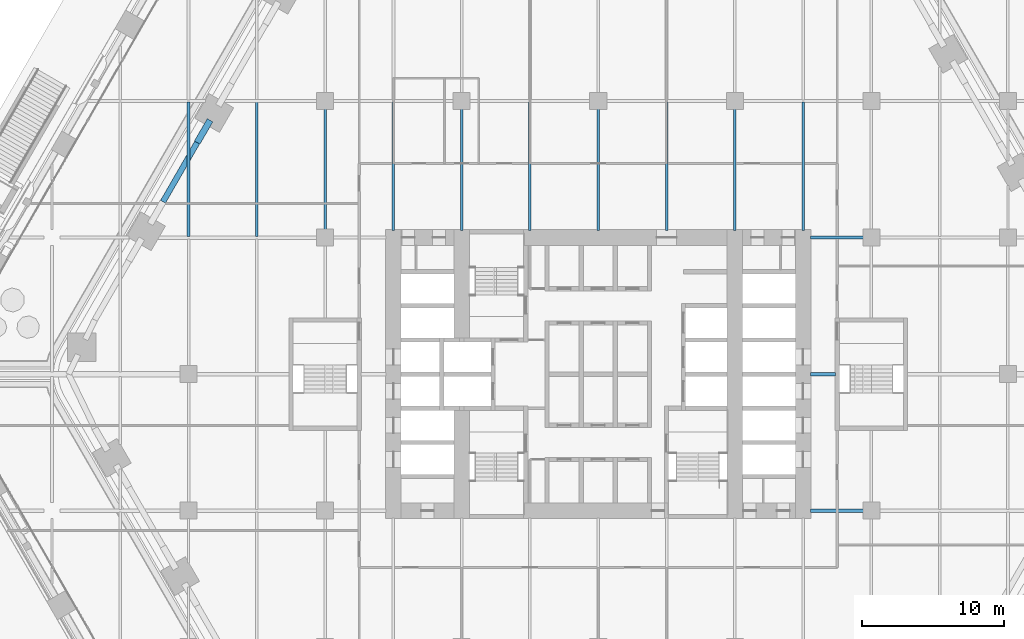
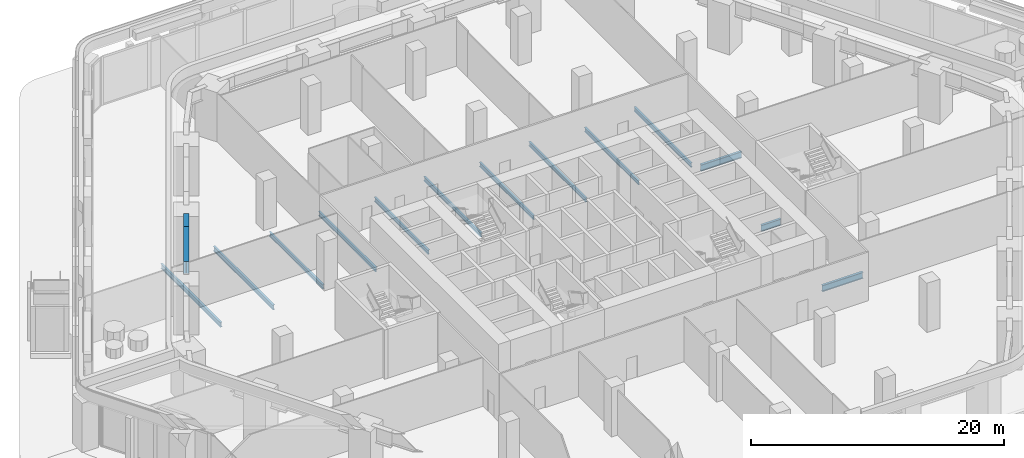
# One storey, part 5 of 34: 15 beams.
"""IFC4 building model written with IfcOpenShell, lengths in metres."""

from ifc_helpers import new_model, si_unit, direction, frame, origin, origin_2d, place, context, subcontext, project, spatial, i_section, extrude, material, material_profile, profile_set, type_object, element, save


model = new_model("IFC4")

# Units and contexts
model_context = context("Model", 3, precision=1e-05, world=origin(), true_north=direction((0.0, 1.0)))
body_context = subcontext(model_context, "Body", "Model", "MODEL_VIEW")
ifc_project = project(units=[si_unit("LENGTHUNIT", "METRE"), si_unit("AREAUNIT", "SQUARE_METRE"), si_unit("VOLUMEUNIT", "CUBIC_METRE"), si_unit("PLANEANGLEUNIT", "RADIAN"), si_unit("MASSUNIT", "GRAM", prefix="KILO")], contexts=[model_context])

# Site, building, storey
site_placement = place(None, origin())
site = spatial("IfcSite", under=ifc_project, at=site_placement, CompositionType="ELEMENT")
building_placement = place(site_placement, origin())
building = spatial("IfcBuilding", under=site, at=building_placement, Name="Kolab Exchange Tower", CompositionType="ELEMENT")
storey_placement = place(building_placement, frame((0.0, 0.0, 12.39990234375)))
storey = spatial("IfcBuildingStorey", under=building, at=storey_placement, Name="L02", CompositionType="ELEMENT", Elevation=12.39990234375)

# Beams
ifc_material = material(Name="Steel S355", Category="steel")
ifc_material_profile_1 = material_profile(ifc_material, i_section(OverallWidth=0.177978515625, OverallDepth=0.406982421875, WebThickness=0.0078125, FlangeThickness=0.0126953125, at=origin_2d()), Name="W410X60")
ifc_profile_set_1 = profile_set([ifc_material_profile_1], Name="Steel S355")
beam_type_1 = type_object("IfcBeamType", Name="FLOOR BEAM W410X60", PredefinedType="BEAM", material=ifc_profile_set_1)
beam_1_placement = place(storey_placement, frame((-19.199951171875, 10.159912109375, -0.50341796875), z_axis=(0.0, 1.0, 0.0), x_axis=(-1.0, 0.0, 0.0)))
element("IfcBeam", 1, at=beam_1_placement, inside=storey, type_object=beam_type_1, Name="beam/L02/fr/036", PredefinedType="BEAM", context=body_context, shape_type="SweptSolid", body=[
    extrude(i_section(OverallWidth=0.177978515625, OverallDepth=0.406982421875, WebThickness=0.0078125, FlangeThickness=0.0126953125, at=origin_2d()), origin(), (0.0, 0.0, 1.0), 8.47998046875),
])
beam_2_placement = place(storey_placement, frame((-14.39990234375, 10.110107421875, -0.50341796875), z_axis=(0.0, 1.0, 0.0), x_axis=(-1.0, 0.0, 0.0)))
element("IfcBeam", 2, at=beam_2_placement, inside=storey, type_object=beam_type_1, Name="beam/L02/fr/043", PredefinedType="BEAM", context=body_context, shape_type="SweptSolid", body=[
    extrude(i_section(OverallWidth=0.177978515625, OverallDepth=0.406982421875, WebThickness=0.0078125, FlangeThickness=0.0126953125, at=origin_2d()), origin(), (0.0, 0.0, 1.0), 9.015869140625),
])
beam_3_placement = place(storey_placement, frame((-9.60009765625, 10.110107421875, -0.50341796875), z_axis=(0.0, 1.0, 0.0), x_axis=(-1.0, 0.0, 0.0)))
element("IfcBeam", 3, at=beam_3_placement, inside=storey, type_object=beam_type_1, Name="beam/L02/fr/050", PredefinedType="BEAM", context=body_context, shape_type="SweptSolid", body=[
    extrude(i_section(OverallWidth=0.177978515625, OverallDepth=0.406982421875, WebThickness=0.0078125, FlangeThickness=0.0126953125, at=origin_2d()), origin(), (0.0, 0.0, 1.0), 8.52978515625),
])
beam_4_placement = place(storey_placement, frame((-4.800048828125, 10.110107421875, -0.50341796875), z_axis=(0.0, 1.0, 0.0), x_axis=(-1.0, 0.0, 0.0)))
element("IfcBeam", 4, at=beam_4_placement, inside=storey, type_object=beam_type_1, Name="beam/L02/fr/057", PredefinedType="BEAM", context=body_context, shape_type="SweptSolid", body=[
    extrude(i_section(OverallWidth=0.177978515625, OverallDepth=0.406982421875, WebThickness=0.0078125, FlangeThickness=0.0126953125, at=origin_2d()), origin(), (0.0, 0.0, 1.0), 9.015869140625),
])
beam_5_placement = place(storey_placement, frame((0.0, 10.110107421875, -0.50341796875), z_axis=(0.0, 1.0, 0.0), x_axis=(-1.0, 0.0, 0.0)))
element("IfcBeam", 5, at=beam_5_placement, inside=storey, type_object=beam_type_1, Name="beam/L02/fr/064", PredefinedType="BEAM", context=body_context, shape_type="SweptSolid", body=[
    extrude(i_section(OverallWidth=0.177978515625, OverallDepth=0.406982421875, WebThickness=0.0078125, FlangeThickness=0.0126953125, at=origin_2d()), origin(), (0.0, 0.0, 1.0), 8.52978515625),
])
beam_6_placement = place(storey_placement, frame((4.800048828125, 10.110107421875, -0.50341796875), z_axis=(0.0, 1.0, 0.0), x_axis=(-1.0, 0.0, 0.0)))
element("IfcBeam", 6, at=beam_6_placement, inside=storey, type_object=beam_type_1, Name="beam/L02/fr/071", PredefinedType="BEAM", context=body_context, shape_type="SweptSolid", body=[
    extrude(i_section(OverallWidth=0.177978515625, OverallDepth=0.406982421875, WebThickness=0.0078125, FlangeThickness=0.0126953125, at=origin_2d()), origin(), (0.0, 0.0, 1.0), 9.015869140625),
])
beam_7_placement = place(storey_placement, frame((9.60009765625, 10.110107421875, -0.50341796875), z_axis=(0.0, 1.0, 0.0), x_axis=(-1.0, 0.0, 0.0)))
element("IfcBeam", 7, at=beam_7_placement, inside=storey, type_object=beam_type_1, Name="beam/L02/fr/078", PredefinedType="BEAM", context=body_context, shape_type="SweptSolid", body=[
    extrude(i_section(OverallWidth=0.177978515625, OverallDepth=0.406982421875, WebThickness=0.0078125, FlangeThickness=0.0126953125, at=origin_2d()), origin(), (0.0, 0.0, 1.0), 8.52978515625),
])
beam_8_placement = place(storey_placement, frame((14.39990234375, 10.110107421875, -0.50341796875), z_axis=(0.0, 1.0, 0.0), x_axis=(-1.0, 0.0, 0.0)))
element("IfcBeam", 8, at=beam_8_placement, inside=storey, type_object=beam_type_1, Name="beam/L02/fr/084", PredefinedType="BEAM", context=body_context, shape_type="SweptSolid", body=[
    extrude(i_section(OverallWidth=0.177978515625, OverallDepth=0.406982421875, WebThickness=0.0078125, FlangeThickness=0.0126953125, at=origin_2d()), origin(), (0.0, 0.0, 1.0), 9.015869140625),
])
ifc_material_profile_2 = material_profile(ifc_material, i_section(OverallWidth=0.18994140625, OverallDepth=0.45703125, WebThickness=0.009033203125, FlangeThickness=0.014404296875, at=origin_2d()), Name="W460X74")
ifc_profile_set_2 = profile_set([ifc_material_profile_2], Name="Steel S355")
beam_type_2 = type_object("IfcBeamType", Name="FLOOR BEAM W460X74", PredefinedType="BEAM", material=ifc_profile_set_2)
for number, where, z_axis, x_axis, name in (
    (9, (-28.800048828125, 9.68701171875, -0.5283203125), (0.0, 1.0, 0.0), (-1.0, 0.0, 0.0), "beam/L02/fr/019"),
    (10, (-24.0, 9.68701171875, -0.5283203125), (0.0, 1.0, 0.0), (-1.0, 0.0, 0.0), "beam/L02/fr/028"),
):
    element("IfcBeam", number, at=place(storey_placement, frame(where, z_axis=z_axis, x_axis=x_axis)), inside=storey, type_object=beam_type_2, Name=name, PredefinedType="BEAM", context=body_context, shape_type="SweptSolid", body=[
        extrude(i_section(OverallWidth=0.18994140625, OverallDepth=0.45703125, WebThickness=0.009033203125, FlangeThickness=0.014404296875, at=origin_2d()), origin(), (0.0, 0.0, 1.0), 9.43896484375),
    ])
ifc_material_profile_3 = material_profile(ifc_material, i_section(OverallWidth=0.22802734375, OverallDepth=0.60791015625, WebThickness=0.01123046875, FlangeThickness=0.017333984375, at=origin_2d()), Name="W610X113")
ifc_profile_set_3 = profile_set([ifc_material_profile_3], Name="Steel S355")
beam_type_3 = type_object("IfcBeamType", Name="FLOOR GIRDER W610X113", PredefinedType="BEAM", material=ifc_profile_set_3)
beam_9_placement = place(storey_placement, frame((14.909912109375, -9.60009765625, -0.60400390625), z_axis=(1.0, 0.0, 0.0), x_axis=(0.0, 1.0, 0.0)))
element("IfcBeam", 11, at=beam_9_placement, inside=storey, type_object=beam_type_3, Name="beam/L02/gd/031", PredefinedType="BEAM", context=body_context, shape_type="SweptSolid", body=[
    extrude(i_section(OverallWidth=0.22802734375, OverallDepth=0.60791015625, WebThickness=0.01123046875, FlangeThickness=0.017333984375, at=origin_2d()), origin(), (0.0, 0.0, 1.0), 3.72998046875),
])
beam_10_placement = place(storey_placement, frame((14.909912109375, 0.0, -0.60400390625), z_axis=(1.0, 0.0, 0.0), x_axis=(0.0, 1.0, 0.0)))
element("IfcBeam", 12, at=beam_10_placement, inside=storey, type_object=beam_type_3, Name="beam/L02/gd/032", PredefinedType="BEAM", context=body_context, shape_type="SweptSolid", body=[
    extrude(i_section(OverallWidth=0.22802734375, OverallDepth=0.60791015625, WebThickness=0.01123046875, FlangeThickness=0.017333984375, at=origin_2d()), origin(), (0.0, 0.0, 1.0), 1.780029296875),
])
beam_11_placement = place(storey_placement, frame((14.909912109375, 9.60009765625, -0.60400390625), z_axis=(1.0, 0.0, 0.0), x_axis=(0.0, 1.0, 0.0)))
element("IfcBeam", 13, at=beam_11_placement, inside=storey, type_object=beam_type_3, Name="beam/L02/gd/033", PredefinedType="BEAM", context=body_context, shape_type="SweptSolid", body=[
    extrude(i_section(OverallWidth=0.22802734375, OverallDepth=0.60791015625, WebThickness=0.01123046875, FlangeThickness=0.017333984375, at=origin_2d()), origin(), (0.0, 0.0, 1.0), 3.72998046875),
])
ifc_material_profile_4 = material_profile(ifc_material, i_section(OverallWidth=0.39990234375, OverallDepth=1.199951171875, WebThickness=0.02490234375, FlangeThickness=0.0400390625, at=origin_2d()), Name="PG1200X400")
ifc_profile_set_4 = profile_set([ifc_material_profile_4], Name="Steel S355")
beam_type_4 = type_object("IfcBeamType", Name="TRANSFER GIRDER PG1200X400", PredefinedType="BEAM", material=ifc_profile_set_4)
beam_12_placement = place(storey_placement, frame((-30.59375, 12.120849609375, 4.150146484375), z_axis=(0.500001309137, 0.866024647952, 0.0), x_axis=(-0.866024647952, 0.500001309137, 0.0)))
element("IfcBeam", 14, at=beam_12_placement, inside=storey, type_object=beam_type_4, Name="beam/L02/tg/T-F6-04-F6-05", PredefinedType="BEAM", context=body_context, shape_type="SweptSolid", body=[
    extrude(i_section(OverallWidth=0.39990234375, OverallDepth=1.199951171875, WebThickness=0.02490234375, FlangeThickness=0.0400390625, at=origin_2d()), origin(), (0.0, 0.0, 1.0), 4.7998046875),
])
ifc_material_profile_5 = material_profile(ifc_material, i_section(OverallWidth=0.449951171875, OverallDepth=1.5, WebThickness=0.028076171875, FlangeThickness=0.044921875, at=origin_2d()), Name="PG1500X450")
ifc_profile_set_5 = profile_set([ifc_material_profile_5], Name="Steel S355")
beam_type_5 = type_object("IfcBeamType", Name="TRANSFER GIRDER PG1500X450", PredefinedType="BEAM", material=ifc_profile_set_5)
beam_13_placement = place(storey_placement, frame((-27.288818359375, 17.84521484375, 4.0), z_axis=(-0.499983199978, -0.866035103064, 0.0), x_axis=(0.866035103064, -0.499983199978, 0.0)))
element("IfcBeam", 15, at=beam_13_placement, inside=storey, type_object=beam_type_5, Name="beam/L02/tg/T-F6-05", PredefinedType="BEAM", context=body_context, shape_type="SweptSolid", body=[
    extrude(i_section(OverallWidth=0.449951171875, OverallDepth=1.5, WebThickness=0.028076171875, FlangeThickness=0.044921875, at=origin_2d()), origin(), (0.0, 0.0, 1.0), 1.81005859375),
])

save(model, "model.ifc")
